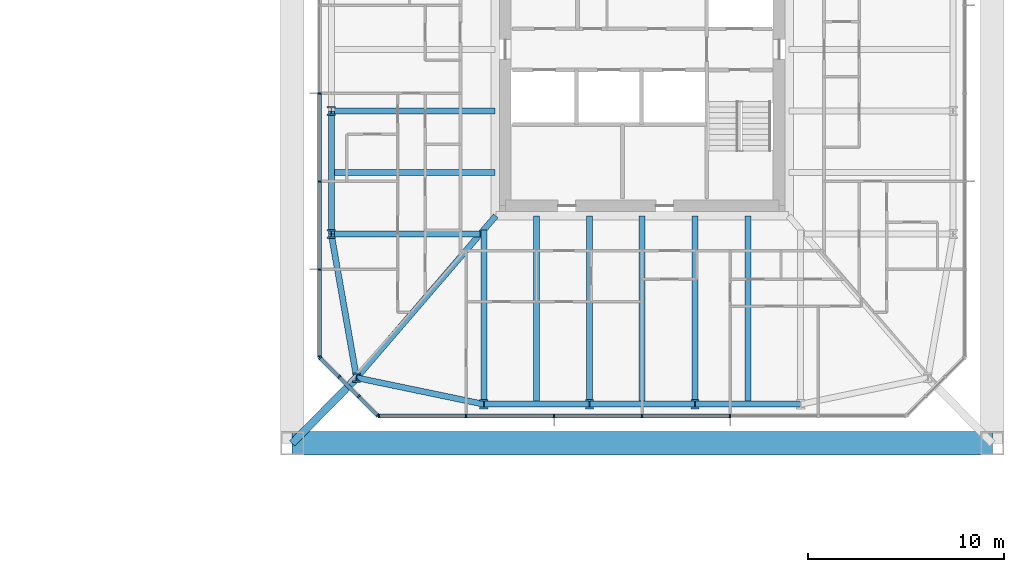
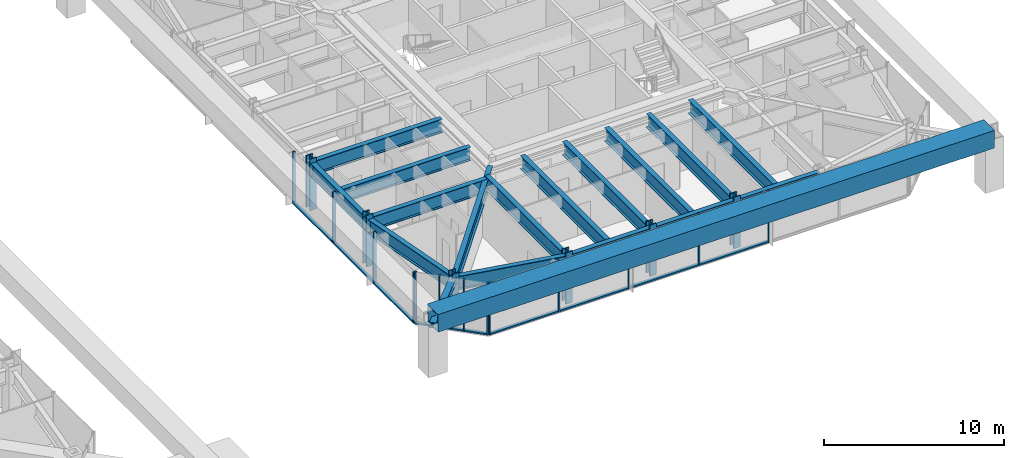
# One storey, part 13 of 32: 31 members, 16 beams, 3 elements without a shape of their own.
"""IFC4 building model written with IfcOpenShell, lengths in metres."""

from ifc_helpers import new_model, si_unit, direction, frame, origin, origin_2d, place, context, subcontext, project, spatial, rectangle, hollow_rectangle, i_section, extrude, material, material_profile, profile_set, type_object, element, aggregate, save


model = new_model("IFC4")

# Units and contexts
model_context = context("Model", 3, precision=1e-05, world=origin(), true_north=direction((0.0, 1.0)))
body_context = subcontext(model_context, "Body", "Model", "MODEL_VIEW")
ifc_project = project(units=[si_unit("LENGTHUNIT", "METRE"), si_unit("AREAUNIT", "SQUARE_METRE"), si_unit("VOLUMEUNIT", "CUBIC_METRE"), si_unit("PLANEANGLEUNIT", "RADIAN"), si_unit("MASSUNIT", "GRAM", prefix="KILO")], contexts=[model_context])

# Site, building, storey
site_placement = place(None, origin())
site = spatial("IfcSite", under=ifc_project, at=site_placement, CompositionType="ELEMENT")
building_placement = place(site_placement, origin())
building = spatial("IfcBuilding", under=site, at=building_placement, Name="Iwan Alto Co-Living Towers", CompositionType="ELEMENT")
storey_placement = place(building_placement, frame((0.0, 0.0, 71.0)))
storey = spatial("IfcBuildingStorey", under=building, at=storey_placement, Name="L19", CompositionType="ELEMENT", Elevation=71.0)

# Curtain wall, members
ifc_material_1 = material(Name="Bronze aluminium unitised frame", Category="aluminium")
curtain_wall_type_1 = type_object("IfcCurtainWallType", Name="CURTAIN WALL CW-C", PredefinedType="NOTDEFINED", material=ifc_material_1)
curtain_wall_1_placement = place(storey_placement, origin())
curtain_wall_1 = element("IfcCurtainWall", 1, at=curtain_wall_1_placement, inside=storey, type_object=curtain_wall_type_1, Name="T2 curtain wall S L19", PredefinedType="NOTDEFINED")
ifc_material_2 = material(Name="Aluminium 6063-T6 bronze anodised", Category="aluminium")
ifc_material_profile_1 = material_profile(ifc_material_2, rectangle(XDim=0.199951171875, YDim=0.080078125, at=origin_2d()), Name="AL 80X200")
ifc_profile_set_1 = profile_set([ifc_material_profile_1], Name="Aluminium 6063-T6 bronze anodised")
member_type_1 = type_object("IfcMemberType", Name="CW-C MULLION 80X200", PredefinedType="MULLION", material=ifc_profile_set_1)
member_1_placement = place(storey_placement, frame((49.5400390625, -18.75, 0.0), z_axis=(0.0, 0.0, 1.0), x_axis=(0.0, 1.0, 0.0)))
member_1 = element("IfcMember", 2, at=member_1_placement, type_object=member_type_1, Name="CW-C mullion 1", PredefinedType="MULLION", context=body_context, shape_type="SweptSolid", body=[
    extrude(rectangle(XDim=0.199951171875, YDim=0.080078125, at=origin_2d()), origin(), (0.0, 0.0, 1.0), 3.5),
])
member_2_placement = place(storey_placement, frame((54.0, -18.75, 0.0), z_axis=(0.0, 0.0, 1.0), x_axis=(0.0, 1.0, 0.0)))
member_2 = element("IfcMember", 3, at=member_2_placement, type_object=member_type_1, Name="CW-C mullion 2", PredefinedType="MULLION", context=body_context, shape_type="SweptSolid", body=[
    extrude(rectangle(XDim=0.199951171875, YDim=0.080078125, at=origin_2d()), origin(), (0.0, 0.0, 1.0), 3.5),
])
member_3_placement = place(storey_placement, frame((58.5, -18.75, 0.0), z_axis=(0.0, 0.0, 1.0), x_axis=(0.0, 1.0, 0.0)))
member_3 = element("IfcMember", 4, at=member_3_placement, type_object=member_type_1, Name="CW-C mullion 3", PredefinedType="MULLION", context=body_context, shape_type="SweptSolid", body=[
    extrude(rectangle(XDim=0.199951171875, YDim=0.080078125, at=origin_2d()), origin(), (0.0, 0.0, 1.0), 3.5),
])
member_4_placement = place(storey_placement, frame((63.0, -18.75, 0.0), z_axis=(0.0, 0.0, 1.0), x_axis=(0.0, 1.0, 0.0)))
member_4 = element("IfcMember", 5, at=member_4_placement, type_object=member_type_1, Name="CW-C mullion 4", PredefinedType="MULLION", context=body_context, shape_type="SweptSolid", body=[
    extrude(rectangle(XDim=0.199951171875, YDim=0.080078125, at=origin_2d()), origin(), (0.0, 0.0, 1.0), 3.5),
])
member_5_placement = place(storey_placement, frame((67.5, -18.75, 0.0), z_axis=(0.0, 0.0, 1.0), x_axis=(0.0, 1.0, 0.0)))
member_5 = element("IfcMember", 6, at=member_5_placement, type_object=member_type_1, Name="CW-C mullion 5", PredefinedType="MULLION", context=body_context, shape_type="SweptSolid", body=[
    extrude(rectangle(XDim=0.199951171875, YDim=0.080078125, at=origin_2d()), origin(), (0.0, 0.0, 1.0), 3.5),
])

curtain_wall_2_placement = place(storey_placement, origin())
curtain_wall_2 = element("IfcCurtainWall", 7, at=curtain_wall_2_placement, inside=storey, type_object=curtain_wall_type_1, Name="T2 curtain wall W L19", PredefinedType="NOTDEFINED")
member_6_placement = place(storey_placement, frame((46.5, -2.25, 0.0), z_axis=(0.0, 0.0, 1.0), x_axis=(1.0, 0.0, 0.0)))
member_6 = element("IfcMember", 8, at=member_6_placement, type_object=member_type_1, Name="CW-C mullion 5", PredefinedType="MULLION", context=body_context, shape_type="SweptSolid", body=[
    extrude(rectangle(XDim=0.199951171875, YDim=0.080078125, at=origin_2d()), origin(), (0.0, 0.0, 1.0), 3.5),
])
member_7_placement = place(storey_placement, frame((46.5, -6.75, 0.0), z_axis=(0.0, 0.0, 1.0), x_axis=(1.0, 0.0, 0.0)))
member_7 = element("IfcMember", 9, at=member_7_placement, type_object=member_type_1, Name="CW-C mullion 6", PredefinedType="MULLION", context=body_context, shape_type="SweptSolid", body=[
    extrude(rectangle(XDim=0.199951171875, YDim=0.080078125, at=origin_2d()), origin(), (0.0, 0.0, 1.0), 3.5),
])
member_8_placement = place(storey_placement, frame((46.5, -11.25, 0.0), z_axis=(0.0, 0.0, 1.0), x_axis=(1.0, 0.0, 0.0)))
member_8 = element("IfcMember", 10, at=member_8_placement, type_object=member_type_1, Name="CW-C mullion 7", PredefinedType="MULLION", context=body_context, shape_type="SweptSolid", body=[
    extrude(rectangle(XDim=0.199951171875, YDim=0.080078125, at=origin_2d()), origin(), (0.0, 0.0, 1.0), 3.5),
])
member_9_placement = place(storey_placement, frame((46.5, -15.7099609375, 0.0), z_axis=(0.0, 0.0, 1.0), x_axis=(1.0, 0.0, 0.0)))
member_9 = element("IfcMember", 11, at=member_9_placement, type_object=member_type_1, Name="CW-C mullion 8", PredefinedType="MULLION", context=body_context, shape_type="SweptSolid", body=[
    extrude(rectangle(XDim=0.199951171875, YDim=0.080078125, at=origin_2d()), origin(), (0.0, 0.0, 1.0), 3.5),
])

# Member
ifc_material_3 = material(Name="Aluminium 6063-T6 bronze anodised", Category="aluminium")
ifc_material_profile_2 = material_profile(ifc_material_3, rectangle(XDim=0.199951171875, YDim=0.10009765625, at=origin_2d()), Name="AL 200X100")
ifc_profile_set_2 = profile_set([ifc_material_profile_2], Name="Aluminium 6063-T6 bronze anodised")
member_type_2 = type_object("IfcMemberType", Name="CW-C TRANSOM 200X100", PredefinedType="USERDEFINED", material=ifc_profile_set_2)
member_10_placement = place(storey_placement, frame((49.580078125, -18.75, 0.050048828125), z_axis=(1.0, 0.0, 0.0), x_axis=(0.0, 1.0, 0.0)))
member_10 = element("IfcMember", 12, at=member_10_placement, type_object=member_type_2, Name="CW-C transom 1.1", ObjectType="TRANSOM", PredefinedType="USERDEFINED", context=body_context, shape_type="SweptSolid", body=[
    extrude(rectangle(XDim=0.199951171875, YDim=0.10009765625, at=origin_2d()), origin(), (0.0, 0.0, 1.0), 4.3798828125),
])

member_11_placement = place(storey_placement, frame((54.0400390625, -18.75, 0.050048828125), z_axis=(1.0, 0.0, 0.0), x_axis=(0.0, 1.0, 0.0)))
member_11 = element("IfcMember", 13, at=member_11_placement, type_object=member_type_2, Name="CW-C transom 2.1", ObjectType="TRANSOM", PredefinedType="USERDEFINED", context=body_context, shape_type="SweptSolid", body=[
    extrude(rectangle(XDim=0.199951171875, YDim=0.10009765625, at=origin_2d()), origin(), (0.0, 0.0, 1.0), 4.419921875),
])

member_12_placement = place(storey_placement, frame((58.5400390625, -18.75, 0.050048828125), z_axis=(1.0, 0.0, 0.0), x_axis=(0.0, 1.0, 0.0)))
member_12 = element("IfcMember", 14, at=member_12_placement, type_object=member_type_2, Name="CW-C transom 3.1", ObjectType="TRANSOM", PredefinedType="USERDEFINED", context=body_context, shape_type="SweptSolid", body=[
    extrude(rectangle(XDim=0.199951171875, YDim=0.10009765625, at=origin_2d()), origin(), (0.0, 0.0, 1.0), 4.419921875),
])

member_13_placement = place(storey_placement, frame((63.0400390625, -18.75, 0.050048828125), z_axis=(1.0, 0.0, 0.0), x_axis=(0.0, 1.0, 0.0)))
member_13 = element("IfcMember", 15, at=member_13_placement, type_object=member_type_2, Name="CW-C transom 4.1", ObjectType="TRANSOM", PredefinedType="USERDEFINED", context=body_context, shape_type="SweptSolid", body=[
    extrude(rectangle(XDim=0.199951171875, YDim=0.10009765625, at=origin_2d()), origin(), (0.0, 0.0, 1.0), 4.419921875),
])

aggregate(curtain_wall_1, [member_1, member_2, member_3, member_4, member_5, member_10, member_11, member_12, member_13])

member_14_placement = place(storey_placement, frame((46.5, -2.2900390625, 0.050048828125), z_axis=(0.0, -1.0, 0.0), x_axis=(1.0, 0.0, 0.0)))
member_14 = element("IfcMember", 16, at=member_14_placement, type_object=member_type_2, Name="CW-C transom 5.1", ObjectType="TRANSOM", PredefinedType="USERDEFINED", context=body_context, shape_type="SweptSolid", body=[
    extrude(rectangle(XDim=0.199951171875, YDim=0.10009765625, at=origin_2d()), origin(), (0.0, 0.0, 1.0), 4.419921875),
])

member_15_placement = place(storey_placement, frame((46.5, -6.7900390625, 0.050048828125), z_axis=(0.0, -1.0, 0.0), x_axis=(1.0, 0.0, 0.0)))
member_15 = element("IfcMember", 17, at=member_15_placement, type_object=member_type_2, Name="CW-C transom 6.1", ObjectType="TRANSOM", PredefinedType="USERDEFINED", context=body_context, shape_type="SweptSolid", body=[
    extrude(rectangle(XDim=0.199951171875, YDim=0.10009765625, at=origin_2d()), origin(), (0.0, 0.0, 1.0), 4.419921875),
])

member_16_placement = place(storey_placement, frame((46.5, -11.2900390625, 0.050048828125), z_axis=(0.0, -1.0, 0.0), x_axis=(1.0, 0.0, 0.0)))
member_16 = element("IfcMember", 18, at=member_16_placement, type_object=member_type_2, Name="CW-C transom 7.1", ObjectType="TRANSOM", PredefinedType="USERDEFINED", context=body_context, shape_type="SweptSolid", body=[
    extrude(rectangle(XDim=0.199951171875, YDim=0.10009765625, at=origin_2d()), origin(), (0.0, 0.0, 1.0), 4.3798828125),
])

aggregate(curtain_wall_2, [member_6, member_7, member_8, member_9, member_14, member_15, member_16])

# Curtain wall, members
ifc_material_4 = material(Name="Bronze aluminium unitised frame", Category="aluminium")
curtain_wall_type_2 = type_object("IfcCurtainWallType", Name="CURTAIN WALL CW-D", PredefinedType="NOTDEFINED", material=ifc_material_4)
curtain_wall_3_placement = place(storey_placement, origin())
curtain_wall_3 = element("IfcCurtainWall", 19, at=curtain_wall_3_placement, inside=storey, type_object=curtain_wall_type_2, Name="T2 chamfer curtain wall SW L19", PredefinedType="NOTDEFINED")
ifc_material_5 = material(Name="Aluminium 6063-T6 bronze anodised", Category="aluminium")
ifc_material_profile_3 = material_profile(ifc_material_5, rectangle(XDim=0.199951171875, YDim=0.080078125, at=origin_2d()), Name="AL 80X200")
ifc_profile_set_3 = profile_set([ifc_material_profile_3], Name="Aluminium 6063-T6 bronze anodised")
member_type_3 = type_object("IfcMemberType", Name="CW-D MULLION 80X200", PredefinedType="MULLION", material=ifc_profile_set_3)
member_17_placement = place(storey_placement, frame((46.5283203125, -15.7783203125, 0.0), z_axis=(0.0, 0.0, 1.0), x_axis=(0.707106781187, 0.707106781187, 0.0)))
member_17 = element("IfcMember", 20, at=member_17_placement, type_object=member_type_3, Name="CW-D mullion 1", PredefinedType="MULLION", context=body_context, shape_type="SweptSolid", body=[
    extrude(rectangle(XDim=0.199951171875, YDim=0.080078125, at=origin_2d()), origin(), (0.0, 0.0, 1.0), 3.5),
])
member_18_placement = place(storey_placement, frame((47.5, -16.75, 0.0), z_axis=(0.0, 0.0, 1.0), x_axis=(0.707106781187, 0.707106781187, 0.0)))
member_18 = element("IfcMember", 21, at=member_18_placement, type_object=member_type_3, Name="CW-D mullion 2", PredefinedType="MULLION", context=body_context, shape_type="SweptSolid", body=[
    extrude(rectangle(XDim=0.199951171875, YDim=0.080078125, at=origin_2d()), origin(), (0.0, 0.0, 1.0), 3.5),
])
member_19_placement = place(storey_placement, frame((48.5, -17.75, 0.0), z_axis=(0.0, 0.0, 1.0), x_axis=(0.707106781187, 0.707106781187, 0.0)))
member_19 = element("IfcMember", 22, at=member_19_placement, type_object=member_type_3, Name="CW-D mullion 3", PredefinedType="MULLION", context=body_context, shape_type="SweptSolid", body=[
    extrude(rectangle(XDim=0.199951171875, YDim=0.080078125, at=origin_2d()), origin(), (0.0, 0.0, 1.0), 3.5),
])
member_20_placement = place(storey_placement, frame((49.4716796875, -18.7216796875, 0.0), z_axis=(0.0, 0.0, 1.0), x_axis=(0.707106781187, 0.707106781187, 0.0)))
member_20 = element("IfcMember", 23, at=member_20_placement, type_object=member_type_3, Name="CW-D mullion 4", PredefinedType="MULLION", context=body_context, shape_type="SweptSolid", body=[
    extrude(rectangle(XDim=0.199951171875, YDim=0.080078125, at=origin_2d()), origin(), (0.0, 0.0, 1.0), 3.5),
])
ifc_material_6 = material(Name="Aluminium 6063-T6 bronze anodised", Category="aluminium")
ifc_material_profile_4 = material_profile(ifc_material_6, rectangle(XDim=0.199951171875, YDim=0.10009765625, at=origin_2d()), Name="AL 200X100")
ifc_profile_set_4 = profile_set([ifc_material_profile_4], Name="Aluminium 6063-T6 bronze anodised")
member_type_4 = type_object("IfcMemberType", Name="CW-D TRANSOM 200X100", PredefinedType="USERDEFINED", material=ifc_profile_set_4)
member_21_placement = place(storey_placement, frame((46.556640625, -15.806640625, 0.050048828125), z_axis=(0.707106781187, -0.707106781187, 0.0), x_axis=(0.707106781187, 0.707106781187, 0.0)))
member_21 = element("IfcMember", 24, at=member_21_placement, type_object=member_type_4, Name="CW-D transom 1.1", ObjectType="TRANSOM", PredefinedType="USERDEFINED", context=body_context, shape_type="SweptSolid", body=[
    extrude(rectangle(XDim=0.199951171875, YDim=0.10009765625, at=origin_2d()), origin(), (0.0, 0.0, 1.0), 1.2939453125),
])
member_22_placement = place(storey_placement, frame((47.5283203125, -16.7783203125, 0.050048828125), z_axis=(0.707106781187, -0.707106781187, 0.0), x_axis=(0.707106781187, 0.707106781187, 0.0)))
member_22 = element("IfcMember", 25, at=member_22_placement, type_object=member_type_4, Name="CW-D transom 2.1", ObjectType="TRANSOM", PredefinedType="USERDEFINED", context=body_context, shape_type="SweptSolid", body=[
    extrude(rectangle(XDim=0.199951171875, YDim=0.10009765625, at=origin_2d()), origin(), (0.0, 0.0, 1.0), 1.334228515625),
])
member_23_placement = place(storey_placement, frame((48.5283203125, -17.7783203125, 0.050048828125), z_axis=(0.707106781187, -0.707106781187, 0.0), x_axis=(0.707106781187, 0.707106781187, 0.0)))
member_23 = element("IfcMember", 26, at=member_23_placement, type_object=member_type_4, Name="CW-D transom 3.1", ObjectType="TRANSOM", PredefinedType="USERDEFINED", context=body_context, shape_type="SweptSolid", body=[
    extrude(rectangle(XDim=0.199951171875, YDim=0.10009765625, at=origin_2d()), origin(), (0.0, 0.0, 1.0), 1.2939453125),
])
aggregate(curtain_wall_3, [member_17, member_18, member_19, member_20, member_21, member_22, member_23])

# Beams
ifc_material_7 = material(Name="Steel ASTM A992 Gr 50", Category="steel")
ifc_material_profile_5 = material_profile(ifc_material_7, i_section(OverallWidth=0.307373046875, OverallDepth=0.927001953125, WebThickness=0.01953125, FlangeThickness=0.031982421875, at=origin_2d()), Name="W36X194")
ifc_profile_set_5 = profile_set([ifc_material_profile_5], Name="Steel ASTM A992 Gr 50")
beam_type_1 = type_object("IfcBeamType", Name="T2 CORNER GIRDER W36X194", PredefinedType="BEAM", material=ifc_profile_set_5)
beam_1_placement = place(storey_placement, frame((48.393798828125, -16.797119140625, 2.736328125), z_axis=(0.651978338393, 0.758237592227, 0.0), x_axis=(-0.758237592227, 0.651978338393, 0.0)))
element("IfcBeam", 27, at=beam_1_placement, inside=storey, type_object=beam_type_1, Name="T2 corner girder CSW L20", PredefinedType="BEAM", context=body_context, shape_type="SweptSolid", body=[
    extrude(i_section(OverallWidth=0.307373046875, OverallDepth=0.927001953125, WebThickness=0.01953125, FlangeThickness=0.031982421875, at=origin_2d()), origin(), (0.0, 0.0, 1.0), 10.918212890625),
])
ifc_material_8 = material(Name="Steel ASTM A992 Gr 50", Category="steel")
ifc_material_profile_6 = material_profile(ifc_material_8, i_section(OverallWidth=0.307373046875, OverallDepth=0.927001953125, WebThickness=0.01953125, FlangeThickness=0.031982421875, at=origin_2d()), Name="W36X194")
ifc_profile_set_6 = profile_set([ifc_material_profile_6], Name="Steel ASTM A992 Gr 50")
beam_type_2 = type_object("IfcBeamType", Name="T2 EDGE BEAM W36X194", PredefinedType="BEAM", material=ifc_profile_set_6)
beam_2_placement = place(storey_placement, frame((48.393798828125, -16.797119140625, 2.736328125), z_axis=(0.979060119423, -0.203571320564, 0.0), x_axis=(0.203571320564, 0.979060119423, 0.0)))
element("IfcBeam", 28, at=beam_2_placement, inside=storey, type_object=beam_type_2, Name="T2 edge beam CSW L20", PredefinedType="BEAM", context=body_context, shape_type="SweptSolid", body=[
    extrude(i_section(OverallWidth=0.307373046875, OverallDepth=0.927001953125, WebThickness=0.01953125, FlangeThickness=0.031982421875, at=origin_2d()), origin(), (0.0, 0.0, 1.0), 6.645263671875),
])
beam_3_placement = place(storey_placement, frame((54.89990234375, -18.14990234375, 2.736328125), z_axis=(1.0, 0.0, 0.0), x_axis=(0.0, 1.0, 0.0)))
element("IfcBeam", 29, at=beam_3_placement, inside=storey, type_object=beam_type_2, Name="T2 edge beam S1 L20", PredefinedType="BEAM", context=body_context, shape_type="SweptSolid", body=[
    extrude(i_section(OverallWidth=0.307373046875, OverallDepth=0.927001953125, WebThickness=0.01953125, FlangeThickness=0.031982421875, at=origin_2d()), origin(), (0.0, 0.0, 1.0), 5.400146484375),
])
beam_4_placement = place(storey_placement, frame((60.300048828125, -18.14990234375, 2.736328125), z_axis=(1.0, 0.0, 0.0), x_axis=(0.0, 1.0, 0.0)))
element("IfcBeam", 30, at=beam_4_placement, inside=storey, type_object=beam_type_2, Name="T2 edge beam S2 L20", PredefinedType="BEAM", context=body_context, shape_type="SweptSolid", body=[
    extrude(i_section(OverallWidth=0.307373046875, OverallDepth=0.927001953125, WebThickness=0.01953125, FlangeThickness=0.031982421875, at=origin_2d()), origin(), (0.0, 0.0, 1.0), 5.39990234375),
])
beam_5_placement = place(storey_placement, frame((65.699951171875, -18.14990234375, 2.736328125), z_axis=(1.0, 0.0, 0.0), x_axis=(0.0, 1.0, 0.0)))
element("IfcBeam", 31, at=beam_5_placement, inside=storey, type_object=beam_type_2, Name="T2 edge beam S3 L20", PredefinedType="BEAM", context=body_context, shape_type="SweptSolid", body=[
    extrude(i_section(OverallWidth=0.307373046875, OverallDepth=0.927001953125, WebThickness=0.01953125, FlangeThickness=0.031982421875, at=origin_2d()), origin(), (0.0, 0.0, 1.0), 5.400146484375),
])
beam_6_placement = place(storey_placement, frame((47.10009765625, -3.14990234375, 2.736328125), z_axis=(0.0, -1.0, 0.0), x_axis=(1.0, 0.0, 0.0)))
element("IfcBeam", 32, at=beam_6_placement, inside=storey, type_object=beam_type_2, Name="T2 edge beam W3 L20", PredefinedType="BEAM", context=body_context, shape_type="SweptSolid", body=[
    extrude(i_section(OverallWidth=0.307373046875, OverallDepth=0.927001953125, WebThickness=0.01953125, FlangeThickness=0.031982421875, at=origin_2d()), origin(), (0.0, 0.0, 1.0), 6.300048828125),
])
beam_7_placement = place(storey_placement, frame((47.10009765625, -9.449951171875, 2.736328125), z_axis=(0.173413807283, -0.98484905008, 0.0), x_axis=(0.98484905008, 0.173413807283, 0.0)))
element("IfcBeam", 33, at=beam_7_placement, inside=storey, type_object=beam_type_2, Name="T2 edge beam W4 L20", PredefinedType="BEAM", context=body_context, shape_type="SweptSolid", body=[
    extrude(i_section(OverallWidth=0.307373046875, OverallDepth=0.927001953125, WebThickness=0.01953125, FlangeThickness=0.031982421875, at=origin_2d()), origin(), (0.0, 0.0, 1.0), 7.460205078125),
])

# Members
ifc_material_9 = material(Name="Steel ASTM A572 Gr 50", Category="steel")
ifc_material_profile_7 = material_profile(ifc_material_9, hollow_rectangle(XDim=1.199951171875, YDim=1.199951171875, WallThickness=0.070068359375, at=origin_2d()), Name="BOX 1200X1200X70")
ifc_profile_set_7 = profile_set([ifc_material_profile_7], Name="Steel ASTM A572 Gr 50")
member_type_5 = type_object("IfcMemberType", Name="T2 MEGA BELT TIE BOX 1200X1200X70", PredefinedType="STRUT", material=ifc_profile_set_7)
member_24_placement = place(storey_placement, frame((45.10009765625, -20.14990234375, 3.5), z_axis=(1.0, 0.0, 0.0), x_axis=(0.0, 1.0, 0.0)))
element("IfcMember", 34, at=member_24_placement, inside=storey, type_object=member_type_5, Name="T2 mega belt tie S L20", PredefinedType="STRUT", context=body_context, shape_type="SweptSolid", body=[
    extrude(hollow_rectangle(XDim=1.199951171875, YDim=1.199951171875, WallThickness=0.070068359375, at=origin_2d()), origin(), (0.0, 0.0, 1.0), 35.7998046875),
])
ifc_material_10 = material(Name="Steel ASTM A992 Gr 50", Category="steel")
ifc_material_profile_8 = material_profile(ifc_material_10, i_section(OverallWidth=0.393798828125, OverallDepth=0.3759765625, WebThickness=0.017333984375, FlangeThickness=0.027587890625, at=origin_2d()), Name="W14X145")
ifc_profile_set_8 = profile_set([ifc_material_profile_8], Name="Steel ASTM A992 Gr 50")
member_type_6 = type_object("IfcMemberType", Name="T2 MEGA COLUMN FLOOR TIE W14X145", PredefinedType="STRUT", material=ifc_profile_set_8)
member_25_placement = place(storey_placement, frame((45.10009765625, -20.14990234375, 3.011962890625), z_axis=(0.700793469544, 0.71336422187, 0.0), x_axis=(-0.71336422187, 0.700793469544, 0.0)))
element("IfcMember", 35, at=member_25_placement, inside=storey, type_object=member_type_6, Name="T2 mega column floor tie SW L20", PredefinedType="STRUT", context=body_context, shape_type="SweptSolid", body=[
    extrude(i_section(OverallWidth=0.393798828125, OverallDepth=0.3759765625, WebThickness=0.017333984375, FlangeThickness=0.027587890625, at=origin_2d()), origin(), (0.0, 0.0, 1.0), 4.699951171875),
])

# Beams
ifc_material_11 = material(Name="Steel ASTM A992 Gr 50", Category="steel")
ifc_material_profile_9 = material_profile(ifc_material_11, i_section(OverallWidth=0.307373046875, OverallDepth=0.927001953125, WebThickness=0.01953125, FlangeThickness=0.031982421875, at=origin_2d()), Name="W36X194")
ifc_profile_set_9 = profile_set([ifc_material_profile_9], Name="Steel ASTM A992 Gr 50")
beam_type_3 = type_object("IfcBeamType", Name="T2 RADIAL BEAM W36X194", PredefinedType="BEAM", material=ifc_profile_set_9)
beam_8_placement = place(storey_placement, frame((54.89990234375, -18.14990234375, 2.736328125), z_axis=(0.0, 1.0, 0.0), x_axis=(-1.0, 0.0, 0.0)))
element("IfcBeam", 36, at=beam_8_placement, inside=storey, type_object=beam_type_3, Name="T2 radial beam S1 L20", PredefinedType="BEAM", context=body_context, shape_type="SweptSolid", body=[
    extrude(i_section(OverallWidth=0.307373046875, OverallDepth=0.927001953125, WebThickness=0.01953125, FlangeThickness=0.031982421875, at=origin_2d()), origin(), (0.0, 0.0, 1.0), 8.91943359375),
])
for number, where, z_axis, x_axis, name in (
    (37, (60.300048828125, -18.14990234375, 2.736328125), (0.0, 1.0, 0.0), (-1.0, 0.0, 0.0), "T2 radial beam S2 L20"),
    (38, (65.699951171875, -18.14990234375, 2.736328125), (0.0, 1.0, 0.0), (-1.0, 0.0, 0.0), "T2 radial beam S3 L20"),
):
    element("IfcBeam", number, at=place(storey_placement, frame(where, z_axis=z_axis, x_axis=x_axis)), inside=storey, type_object=beam_type_3, Name=name, PredefinedType="BEAM", context=body_context, shape_type="SweptSolid", body=[
        extrude(i_section(OverallWidth=0.307373046875, OverallDepth=0.927001953125, WebThickness=0.01953125, FlangeThickness=0.031982421875, at=origin_2d()), origin(), (0.0, 0.0, 1.0), 9.63134765625),
    ])
beam_9_placement = place(storey_placement, frame((47.10009765625, -3.14990234375, 2.736328125), z_axis=(1.0, 0.0, 0.0), x_axis=(0.0, 1.0, 0.0)))
element("IfcBeam", 39, at=beam_9_placement, inside=storey, type_object=beam_type_3, Name="T2 radial beam W3 L20", PredefinedType="BEAM", context=body_context, shape_type="SweptSolid", body=[
    extrude(i_section(OverallWidth=0.307373046875, OverallDepth=0.927001953125, WebThickness=0.01953125, FlangeThickness=0.031982421875, at=origin_2d()), origin(), (0.0, 0.0, 1.0), 8.38134765625),
])
beam_10_placement = place(storey_placement, frame((47.10009765625, -9.449951171875, 2.736328125), z_axis=(1.0, 0.0, 0.0), x_axis=(0.0, 1.0, 0.0)))
element("IfcBeam", 40, at=beam_10_placement, inside=storey, type_object=beam_type_3, Name="T2 radial beam W4 L20", PredefinedType="BEAM", context=body_context, shape_type="SweptSolid", body=[
    extrude(i_section(OverallWidth=0.307373046875, OverallDepth=0.927001953125, WebThickness=0.01953125, FlangeThickness=0.031982421875, at=origin_2d()), origin(), (0.0, 0.0, 1.0), 7.611083984375),
])

# Members
ifc_material_12 = material(Name="Steel ASTM A992 Gr 50", Category="steel")
ifc_material_profile_10 = material_profile(ifc_material_12, i_section(OverallWidth=0.424072265625, OverallDepth=0.47509765625, WebThickness=0.0478515625, FlangeThickness=0.0771484375, at=origin_2d()), Name="W14X426")
ifc_profile_set_10 = profile_set([ifc_material_profile_10], Name="Steel ASTM A992 Gr 50")
member_type_7 = type_object("IfcMemberType", Name="T2 RING POST AT STEP W14X426", PredefinedType="MEMBER", material=ifc_profile_set_10)
for number, where, z_axis, x_axis, name in (
    (41, (48.393798828125, -16.797119140625, 0.0), (0.0, 0.0, 1.0), (1.0, 0.0, 0.0), "T2 ring post at step CSW L19"),
    (42, (54.89990234375, -18.14990234375, 0.0), (0.0, 0.0, 1.0), (1.0, 0.0, 0.0), "T2 ring post at step S1 L19"),
    (43, (60.300048828125, -18.14990234375, 0.0), (0.0, 0.0, 1.0), (1.0, 0.0, 0.0), "T2 ring post at step S2 L19"),
    (44, (65.699951171875, -18.14990234375, 0.0), (0.0, 0.0, 1.0), (1.0, 0.0, 0.0), "T2 ring post at step S3 L19"),
    (45, (47.10009765625, -3.14990234375, 0.0), (0.0, 0.0, 1.0), (1.0, 0.0, 0.0), "T2 ring post at step W3 L19"),
    (46, (47.10009765625, -9.449951171875, 0.0), (0.0, 0.0, 1.0), (1.0, 0.0, 0.0), "T2 ring post at step W4 L19"),
):
    element("IfcMember", number, at=place(storey_placement, frame(where, z_axis=z_axis, x_axis=x_axis)), inside=storey, type_object=member_type_7, Name=name, PredefinedType="MEMBER", context=body_context, shape_type="SweptSolid", body=[
        extrude(i_section(OverallWidth=0.424072265625, OverallDepth=0.47509765625, WebThickness=0.0478515625, FlangeThickness=0.0771484375, at=origin_2d()), origin(), (0.0, 0.0, 1.0), 3.5),
    ])

# Beams
ifc_material_13 = material(Name="Steel ASTM A992 Gr 50", Category="steel")
ifc_material_profile_11 = material_profile(ifc_material_13, i_section(OverallWidth=0.307373046875, OverallDepth=0.927001953125, WebThickness=0.01953125, FlangeThickness=0.031982421875, at=origin_2d()), Name="W36X194")
ifc_profile_set_11 = profile_set([ifc_material_profile_11], Name="Steel ASTM A992 Gr 50")
beam_type_4 = type_object("IfcBeamType", Name="T2 SECONDARY BEAM W36X194", PredefinedType="JOIST", material=ifc_profile_set_11)
for number, where, z_axis, x_axis, name in (
    (47, (57.60009765625, -18.14990234375, 2.736328125), (0.0, 1.0, 0.0), (-1.0, 0.0, 0.0), "T2 secondary beam S1 L20"),
    (48, (63.0, -18.14990234375, 2.736328125), (0.0, 1.0, 0.0), (-1.0, 0.0, 0.0), "T2 secondary beam S2 L20"),
    (49, (68.39990234375, -18.14990234375, 2.736328125), (0.0, 1.0, 0.0), (-1.0, 0.0, 0.0), "T2 secondary beam S3 L20"),
):
    element("IfcBeam", number, at=place(storey_placement, frame(where, z_axis=z_axis, x_axis=x_axis)), inside=storey, type_object=beam_type_4, Name=name, PredefinedType="JOIST", context=body_context, shape_type="SweptSolid", body=[
        extrude(i_section(OverallWidth=0.307373046875, OverallDepth=0.927001953125, WebThickness=0.01953125, FlangeThickness=0.031982421875, at=origin_2d()), origin(), (0.0, 0.0, 1.0), 9.63134765625),
    ])
beam_11_placement = place(storey_placement, frame((47.10009765625, -6.300048828125, 2.736328125), z_axis=(1.0, 0.0, 0.0), x_axis=(0.0, 1.0, 0.0)))
element("IfcBeam", 50, at=beam_11_placement, inside=storey, type_object=beam_type_4, Name="T2 secondary beam W3 L20", PredefinedType="JOIST", context=body_context, shape_type="SweptSolid", body=[
    extrude(i_section(OverallWidth=0.307373046875, OverallDepth=0.927001953125, WebThickness=0.01953125, FlangeThickness=0.031982421875, at=origin_2d()), origin(), (0.0, 0.0, 1.0), 8.38134765625),
])

save(model, "model.ifc")
